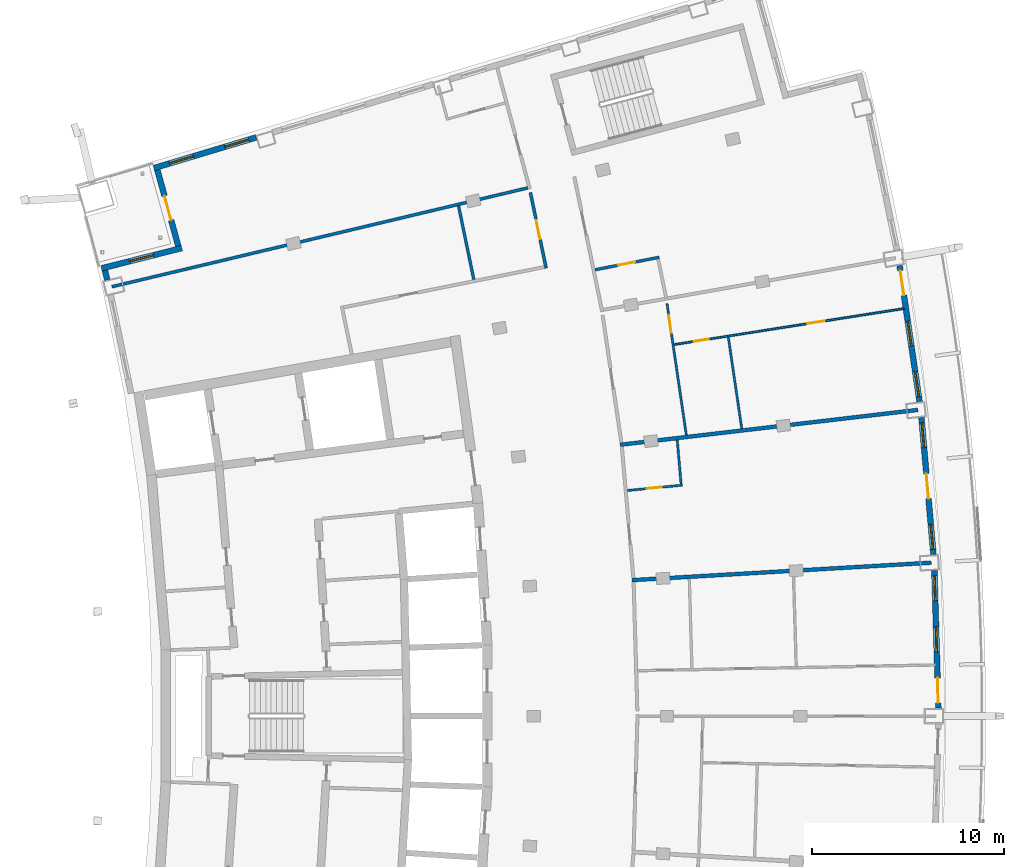
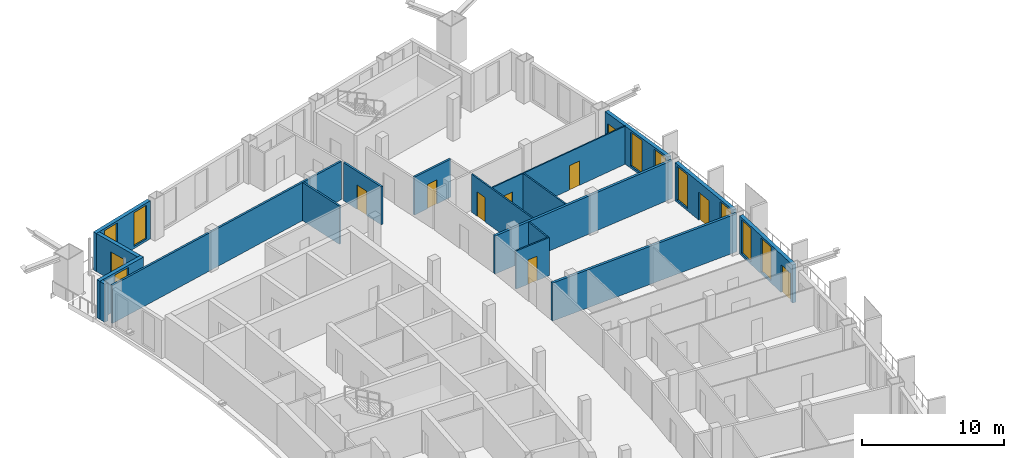
# One storey, part 12 of 20: 18 walls, 10 doors, 9 windows, 19 openings.
"""IFC4 building model written with IfcOpenShell, lengths in metres."""

from ifc_helpers import new_model, si_unit, direction, frame, frame_2d, origin, place, context, subcontext, project, spatial, rectangle, extrude, material, layer, layer_set, type_object, element, fill, save


model = new_model("IFC4")

# Units and contexts
model_context = context("Model", 3, precision=1e-05, world=origin(), true_north=direction((0.0, 1.0)))
body_context = subcontext(model_context, "Body", "Model", "MODEL_VIEW")
ifc_project = project(units=[si_unit("LENGTHUNIT", "METRE"), si_unit("AREAUNIT", "SQUARE_METRE"), si_unit("VOLUMEUNIT", "CUBIC_METRE"), si_unit("PLANEANGLEUNIT", "RADIAN"), si_unit("MASSUNIT", "GRAM", prefix="KILO")], contexts=[model_context])

# Site, building, storey
site_placement = place(None, origin())
site = spatial("IfcSite", under=ifc_project, at=site_placement, CompositionType="ELEMENT")
building_placement = place(site_placement, origin())
building = spatial("IfcBuilding", under=site, at=building_placement, Name="Alderwake Tower", CompositionType="ELEMENT")
storey_placement = place(building_placement, frame((0.0, 0.0, 263.60009765625)))
storey = spatial("IfcBuildingStorey", under=building, at=storey_placement, Name="L65", CompositionType="ELEMENT", Elevation=263.60009765625)

# Wall
ifc_material_1 = material(Name="Gypsum board on metal studs, rated")
ifc_layer_1 = layer(ifc_material_1, 0.159912109375)
ifc_layer_set_1 = layer_set([ifc_layer_1], Name="Corridor wall 160")
wall_type_1 = type_object("IfcWallType", Name="Corridor wall 160", PredefinedType="PARTITIONING", material=ifc_layer_set_1)
wall_1_placement = place(storey_placement, frame((35.502197265625, 88.451416015625, 0.0), z_axis=(0.0, 0.0, 1.0), x_axis=(-0.972894913244, -0.231247676278, 0.0)))
element("IfcWall", 1, at=wall_1_placement, inside=storey, type_object=wall_type_1, Name="WL/L65/W15", PredefinedType="PARTITIONING", context=body_context, shape_type="SweptSolid", body=[
    extrude(rectangle(XDim=22.220458984375, YDim=0.159912109375, at=frame_2d((11.1103515625, 0.0))), origin(), (0.0, 0.0, 1.0), 3.27978515625),
])

# Wall, opening, door
wall_2_placement = place(storey_placement, frame((36.451416015625, 84.272705078125, 0.0), z_axis=(0.0, 0.0, 1.0), x_axis=(-0.203258199701, 0.979125172924, 0.0)))
wall_2 = element("IfcWall", 2, at=wall_2_placement, inside=storey, type_object=wall_type_1, Name="WL/L65/W16", PredefinedType="PARTITIONING", context=body_context, shape_type="SweptSolid", body=[
    extrude(rectangle(XDim=4.020263671875, YDim=0.159912109375, at=frame_2d((2.01025390625, 0.0))), origin(), (0.0, 0.0, 1.0), 3.27978515625),
])
opening_1_placement = place(wall_2_placement, frame((1.549560546875, 0.0, 0.0)))
opening_1 = element("IfcOpeningElement", 3, at=opening_1_placement, cuts=wall_2, Name="Opening R18-SBN2", PredefinedType="OPENING", context=body_context, shape_type="SweptSolid", body=[
    extrude(rectangle(XDim=1.0, YDim=2.10009765625, at=frame_2d((0.5, 1.050048828125))), frame((0.0, 0.08984375, 0.0), z_axis=(0.0, -1.0, 0.0), x_axis=(1.0, 0.0, 0.0)), (0.0, 0.0, 1.0), 0.179931640625),
])
ifc_material_2 = material(Name="Steel-framed fire door leaf", Category="steel")
door_type_1 = type_object("IfcDoorType", Name="Plant room door 1000 fire-rated", OperationType="SINGLE_SWING_LEFT", PredefinedType="DOOR", material=ifc_material_2)
door_1_placement = place(opening_1_placement, origin())
door_1 = element("IfcDoor", 4, at=door_1_placement, inside=storey, type_object=door_type_1, Name="DR/L65/SBN2", OperationType="SINGLE_SWING_LEFT", OverallHeight=2.10009765625, OverallWidth=1.0, PredefinedType="DOOR", context=body_context, shape_type="SweptSolid", body=[
    extrude(rectangle(XDim=1.0, YDim=2.10009765625, at=frame_2d((0.5, 1.050048828125))), frame((0.0, 0.02490234375, 0.0), z_axis=(0.0, -1.0, 0.0), x_axis=(1.0, 0.0, 0.0)), (0.0, 0.0, 1.0), 0.050048828125),
])
fill(opening_1, door_1)

# Wall, openings, door, windows
ifc_material_3 = material(Name="Precast concrete C50/60 spandrel panel", Category="concrete")
ifc_layer_2 = layer(ifc_material_3, 0.300048828125)
ifc_layer_set_2 = layer_set([ifc_layer_2], Name="External wall EW1 Precast concrete C50/60 spandrel")
wall_type_2 = type_object("IfcWallType", Name="External wall EW1 Precast concrete C50/60 spandrel", PredefinedType="SOLIDWALL", material=ifc_layer_set_2)
wall_3_placement = place(storey_placement, frame((56.837646484375, 61.42138671875, 0.0), z_axis=(0.0, 0.0, 1.0), x_axis=(-0.029172920449, 0.99957437978, 0.0)))
wall_3 = element("IfcWall", 5, at=wall_3_placement, inside=storey, type_object=wall_type_2, Name="External wall 16", PredefinedType="SOLIDWALL", context=body_context, shape_type="SweptSolid", body=[
    extrude(rectangle(XDim=7.138427734375, YDim=0.300048828125, at=frame_2d((3.5693359375, 0.0))), origin(), (0.0, 0.0, 1.0), 3.27978515625),
])
opening_2_placement = place(wall_3_placement, frame((0.263427734375, 0.0, 0.0)))
opening_2 = element("IfcOpeningElement", 6, at=opening_2_placement, cuts=wall_3, Name="Opening D06", PredefinedType="OPENING", context=body_context, shape_type="SweptSolid", body=[
    extrude(rectangle(XDim=1.300048828125, YDim=2.39990234375, at=frame_2d((0.64990234375, 1.199951171875))), frame((0.0, 0.159912109375, 0.0), z_axis=(0.0, -1.0, 0.0), x_axis=(1.0, 0.0, 0.0)), (0.0, 0.0, 1.0), 0.320068359375),
])
opening_3_placement = place(wall_3_placement, frame((2.919189453125, 0.0, 0.199951171875)))
opening_3 = element("IfcOpeningElement", 7, at=opening_3_placement, cuts=wall_3, Name="Opening W1", PredefinedType="OPENING", context=body_context, shape_type="SweptSolid", body=[
    extrude(rectangle(XDim=1.300048828125, YDim=2.89990234375, at=frame_2d((0.64990234375, 1.449951171875))), frame((0.0, 0.159912109375, 0.0), z_axis=(0.0, -1.0, 0.0), x_axis=(1.0, 0.0, 0.0)), (0.0, 0.0, 1.0), 0.320068359375),
])
opening_4_placement = place(wall_3_placement, frame((5.574951171875, 0.0, 0.199951171875)))
opening_4 = element("IfcOpeningElement", 8, at=opening_4_placement, cuts=wall_3, Name="Opening W1", PredefinedType="OPENING", context=body_context, shape_type="SweptSolid", body=[
    extrude(rectangle(XDim=1.300048828125, YDim=2.89990234375, at=frame_2d((0.64990234375, 1.449951171875))), frame((0.0, 0.159912109375, 0.0), z_axis=(0.0, -1.0, 0.0), x_axis=(1.0, 0.0, 0.0)), (0.0, 0.0, 1.0), 0.320068359375),
])
ifc_material_4 = material(Name="Bronze tinted glass in aluminium frame", Category="aluminium")
door_type_2 = type_object("IfcDoorType", Name="Balcony door BD sliding", OperationType="SLIDING_TO_LEFT", PredefinedType="DOOR", material=ifc_material_4)
door_2_placement = place(opening_2_placement, origin())
door_2 = element("IfcDoor", 9, at=door_2_placement, inside=storey, type_object=door_type_2, Name="Door D06", OperationType="SLIDING_TO_LEFT", OverallHeight=2.39990234375, OverallWidth=1.300048828125, PredefinedType="DOOR", context=body_context, shape_type="SweptSolid", body=[
    extrude(rectangle(XDim=1.300048828125, YDim=2.39990234375, at=frame_2d((0.64990234375, 1.199951171875))), frame((0.0, 0.02490234375, 0.0), z_axis=(0.0, -1.0, 0.0), x_axis=(1.0, 0.0, 0.0)), (0.0, 0.0, 1.0), 0.050048828125),
])
fill(opening_2, door_2)
ifc_material_5 = material(Name="Bronze tinted glass in aluminium frame", Category="aluminium")
window_type = type_object("IfcWindowType", Name="Window W1 tall fixed and vent", PartitioningType="DOUBLE_PANEL_VERTICAL", PredefinedType="WINDOW", material=ifc_material_5)
window_1_placement = place(opening_3_placement, origin())
window_1 = element("IfcWindow", 10, at=window_1_placement, inside=storey, type_object=window_type, Name="Window W1 tall fixed and vent", OverallHeight=2.89990234375, OverallWidth=1.300048828125, PartitioningType="DOUBLE_PANEL_VERTICAL", PredefinedType="WINDOW", context=body_context, shape_type="SweptSolid", body=[
    extrude(rectangle(XDim=1.300048828125, YDim=2.89990234375, at=frame_2d((0.64990234375, 1.449951171875))), frame((0.0, 0.030029296875, 0.0), z_axis=(0.0, -1.0, 0.0), x_axis=(1.0, 0.0, 0.0)), (0.0, 0.0, 1.0), 0.06005859375),
])
fill(opening_3, window_1)
window_2_placement = place(opening_4_placement, origin())
window_2 = element("IfcWindow", 11, at=window_2_placement, inside=storey, type_object=window_type, Name="Window W1 tall fixed and vent", OverallHeight=2.89990234375, OverallWidth=1.300048828125, PartitioningType="DOUBLE_PANEL_VERTICAL", PredefinedType="WINDOW", context=body_context, shape_type="SweptSolid", body=[
    extrude(rectangle(XDim=1.300048828125, YDim=2.89990234375, at=frame_2d((0.64990234375, 1.449951171875))), frame((0.0, 0.030029296875, 0.0), z_axis=(0.0, -1.0, 0.0), x_axis=(1.0, 0.0, 0.0)), (0.0, 0.0, 1.0), 0.06005859375),
])
fill(opening_4, window_2)

wall_4_placement = place(storey_placement, frame((56.580322265625, 69.3984375, 0.0), z_axis=(0.0, 0.0, 1.0), x_axis=(-0.087383747715, 0.996174723949, 0.0)))
wall_4 = element("IfcWall", 12, at=wall_4_placement, inside=storey, type_object=wall_type_2, Name="External wall 17", PredefinedType="SOLIDWALL", context=body_context, shape_type="SweptSolid", body=[
    extrude(rectangle(XDim=7.138427734375, YDim=0.300048828125, at=frame_2d((3.5693359375, 0.0))), origin(), (0.0, 0.0, 1.0), 3.27978515625),
])
opening_5_placement = place(wall_4_placement, frame((0.263427734375, 0.0, 0.199951171875)))
opening_5 = element("IfcOpeningElement", 13, at=opening_5_placement, cuts=wall_4, Name="Opening W1", PredefinedType="OPENING", context=body_context, shape_type="SweptSolid", body=[
    extrude(rectangle(XDim=1.300048828125, YDim=2.89990234375, at=frame_2d((0.64990234375, 1.449951171875))), frame((0.0, 0.159912109375, 0.0), z_axis=(0.0, -1.0, 0.0), x_axis=(1.0, 0.0, 0.0)), (0.0, 0.0, 1.0), 0.320068359375),
])
opening_6_placement = place(wall_4_placement, frame((2.919189453125, 0.0, 0.0)))
opening_6 = element("IfcOpeningElement", 14, at=opening_6_placement, cuts=wall_4, Name="Opening D07", PredefinedType="OPENING", context=body_context, shape_type="SweptSolid", body=[
    extrude(rectangle(XDim=1.300048828125, YDim=2.39990234375, at=frame_2d((0.64990234375, 1.199951171875))), frame((0.0, 0.159912109375, 0.0), z_axis=(0.0, -1.0, 0.0), x_axis=(1.0, 0.0, 0.0)), (0.0, 0.0, 1.0), 0.320068359375),
])
opening_7_placement = place(wall_4_placement, frame((5.574951171875, 0.0, 0.199951171875)))
opening_7 = element("IfcOpeningElement", 15, at=opening_7_placement, cuts=wall_4, Name="Opening W1", PredefinedType="OPENING", context=body_context, shape_type="SweptSolid", body=[
    extrude(rectangle(XDim=1.300048828125, YDim=2.89990234375, at=frame_2d((0.64990234375, 1.449951171875))), frame((0.0, 0.159912109375, 0.0), z_axis=(0.0, -1.0, 0.0), x_axis=(1.0, 0.0, 0.0)), (0.0, 0.0, 1.0), 0.320068359375),
])
door_3_placement = place(opening_6_placement, origin())
door_3 = element("IfcDoor", 16, at=door_3_placement, inside=storey, type_object=door_type_2, Name="Door D07", OperationType="SLIDING_TO_LEFT", OverallHeight=2.39990234375, OverallWidth=1.300048828125, PredefinedType="DOOR", context=body_context, shape_type="SweptSolid", body=[
    extrude(rectangle(XDim=1.300048828125, YDim=2.39990234375, at=frame_2d((0.64990234375, 1.199951171875))), frame((0.0, 0.02490234375, 0.0), z_axis=(0.0, -1.0, 0.0), x_axis=(1.0, 0.0, 0.0)), (0.0, 0.0, 1.0), 0.050048828125),
])
fill(opening_6, door_3)
window_3_placement = place(opening_5_placement, origin())
window_3 = element("IfcWindow", 17, at=window_3_placement, inside=storey, type_object=window_type, Name="Window W1 tall fixed and vent", OverallHeight=2.89990234375, OverallWidth=1.300048828125, PartitioningType="DOUBLE_PANEL_VERTICAL", PredefinedType="WINDOW", context=body_context, shape_type="SweptSolid", body=[
    extrude(rectangle(XDim=1.300048828125, YDim=2.89990234375, at=frame_2d((0.64990234375, 1.449951171875))), frame((0.0, 0.030029296875, 0.0), z_axis=(0.0, -1.0, 0.0), x_axis=(1.0, 0.0, 0.0)), (0.0, 0.0, 1.0), 0.06005859375),
])
fill(opening_5, window_3)
window_4_placement = place(opening_7_placement, origin())
window_4 = element("IfcWindow", 18, at=window_4_placement, inside=storey, type_object=window_type, Name="Window W1 tall fixed and vent", OverallHeight=2.89990234375, OverallWidth=1.300048828125, PartitioningType="DOUBLE_PANEL_VERTICAL", PredefinedType="WINDOW", context=body_context, shape_type="SweptSolid", body=[
    extrude(rectangle(XDim=1.300048828125, YDim=2.89990234375, at=frame_2d((0.64990234375, 1.449951171875))), frame((0.0, 0.030029296875, 0.0), z_axis=(0.0, -1.0, 0.0), x_axis=(1.0, 0.0, 0.0)), (0.0, 0.0, 1.0), 0.06005859375),
])
fill(opening_7, window_4)

wall_5_placement = place(storey_placement, frame((55.8583984375, 77.3466796875, 0.0), z_axis=(0.0, 0.0, 1.0), x_axis=(-0.145317744338, 0.98938503788, 0.0)))
wall_5 = element("IfcWall", 19, at=wall_5_placement, inside=storey, type_object=wall_type_2, Name="External wall 18", PredefinedType="SOLIDWALL", context=body_context, shape_type="SweptSolid", body=[
    extrude(rectangle(XDim=7.138427734375, YDim=0.300048828125, at=frame_2d((3.5693359375, 0.0))), origin(), (0.0, 0.0, 1.0), 3.27978515625),
])
opening_8_placement = place(wall_5_placement, frame((0.263427734375, 0.0, 0.199951171875)))
opening_8 = element("IfcOpeningElement", 20, at=opening_8_placement, cuts=wall_5, Name="Opening W1", PredefinedType="OPENING", context=body_context, shape_type="SweptSolid", body=[
    extrude(rectangle(XDim=1.300048828125, YDim=2.89990234375, at=frame_2d((0.64990234375, 1.449951171875))), frame((0.0, 0.159912109375, 0.0), z_axis=(0.0, -1.0, 0.0), x_axis=(1.0, 0.0, 0.0)), (0.0, 0.0, 1.0), 0.320068359375),
])
opening_9_placement = place(wall_5_placement, frame((2.919189453125, 0.0, 0.199951171875)))
opening_9 = element("IfcOpeningElement", 21, at=opening_9_placement, cuts=wall_5, Name="Opening W1", PredefinedType="OPENING", context=body_context, shape_type="SweptSolid", body=[
    extrude(rectangle(XDim=1.300048828125, YDim=2.89990234375, at=frame_2d((0.64990234375, 1.449951171875))), frame((0.0, 0.159912109375, 0.0), z_axis=(0.0, -1.0, 0.0), x_axis=(1.0, 0.0, 0.0)), (0.0, 0.0, 1.0), 0.320068359375),
])
opening_10_placement = place(wall_5_placement, frame((5.574951171875, 0.0, 0.0)))
opening_10 = element("IfcOpeningElement", 22, at=opening_10_placement, cuts=wall_5, Name="Opening D08", PredefinedType="OPENING", context=body_context, shape_type="SweptSolid", body=[
    extrude(rectangle(XDim=1.300048828125, YDim=2.39990234375, at=frame_2d((0.64990234375, 1.199951171875))), frame((0.0, 0.159912109375, 0.0), z_axis=(0.0, -1.0, 0.0), x_axis=(1.0, 0.0, 0.0)), (0.0, 0.0, 1.0), 0.320068359375),
])
door_4_placement = place(opening_10_placement, origin())
door_4 = element("IfcDoor", 23, at=door_4_placement, inside=storey, type_object=door_type_2, Name="Door D08", OperationType="SLIDING_TO_LEFT", OverallHeight=2.39990234375, OverallWidth=1.300048828125, PredefinedType="DOOR", context=body_context, shape_type="SweptSolid", body=[
    extrude(rectangle(XDim=1.300048828125, YDim=2.39990234375, at=frame_2d((0.64990234375, 1.199951171875))), frame((0.0, 0.02490234375, 0.0), z_axis=(0.0, -1.0, 0.0), x_axis=(1.0, 0.0, 0.0)), (0.0, 0.0, 1.0), 0.050048828125),
])
fill(opening_10, door_4)
window_5_placement = place(opening_8_placement, origin())
window_5 = element("IfcWindow", 24, at=window_5_placement, inside=storey, type_object=window_type, Name="Window W1 tall fixed and vent", OverallHeight=2.89990234375, OverallWidth=1.300048828125, PartitioningType="DOUBLE_PANEL_VERTICAL", PredefinedType="WINDOW", context=body_context, shape_type="SweptSolid", body=[
    extrude(rectangle(XDim=1.300048828125, YDim=2.89990234375, at=frame_2d((0.64990234375, 1.449951171875))), frame((0.0, 0.030029296875, 0.0), z_axis=(0.0, -1.0, 0.0), x_axis=(1.0, 0.0, 0.0)), (0.0, 0.0, 1.0), 0.06005859375),
])
fill(opening_8, window_5)
window_6_placement = place(opening_9_placement, origin())
window_6 = element("IfcWindow", 25, at=window_6_placement, inside=storey, type_object=window_type, Name="Window W1 tall fixed and vent", OverallHeight=2.89990234375, OverallWidth=1.300048828125, PartitioningType="DOUBLE_PANEL_VERTICAL", PredefinedType="WINDOW", context=body_context, shape_type="SweptSolid", body=[
    extrude(rectangle(XDim=1.300048828125, YDim=2.89990234375, at=frame_2d((0.64990234375, 1.449951171875))), frame((0.0, 0.030029296875, 0.0), z_axis=(0.0, -1.0, 0.0), x_axis=(1.0, 0.0, 0.0)), (0.0, 0.0, 1.0), 0.06005859375),
])
fill(opening_9, window_6)

# Wall
wall_6_placement = place(storey_placement, frame((13.523193359375, 84.1572265625, 0.0), z_axis=(0.0, 0.0, 1.0), x_axis=(0.238653145818, -0.971104873838, 0.0)))
element("IfcWall", 26, at=wall_6_placement, inside=storey, type_object=wall_type_2, Name="External wall 30", PredefinedType="SOLIDWALL", context=body_context, shape_type="SweptSolid", body=[
    extrude(rectangle(XDim=0.50341796875, YDim=0.300048828125, at=frame_2d((0.251708984375, 0.0))), origin(), (0.0, 0.0, 1.0), 3.27978515625),
])

# Wall, openings, windows
ifc_material_6 = material(Name="Bronze metal cladding on lightweight framing")
ifc_layer_3 = layer(ifc_material_6, 0.300048828125)
ifc_layer_set_3 = layer_set([ifc_layer_3], Name="External wall EW2 bronze metal cladding")
wall_type_3 = type_object("IfcWallType", Name="External wall EW2 bronze metal cladding", PredefinedType="SOLIDWALL", material=ifc_layer_set_3)
wall_7_placement = place(storey_placement, frame((21.380859375, 91.072021484375, 0.0), z_axis=(0.0, 0.0, 1.0), x_axis=(-0.957769358194, -0.287537574074, 0.0)))
wall_7 = element("IfcWall", 27, at=wall_7_placement, inside=storey, type_object=wall_type_3, Name="External wall 27", PredefinedType="SOLIDWALL", context=body_context, shape_type="SweptSolid", body=[
    extrude(rectangle(XDim=5.549560546875, YDim=0.300048828125, at=frame_2d((2.77490234375, 0.0))), origin(), (0.0, 0.0, 1.0), 3.27978515625),
])
opening_11_placement = place(wall_7_placement, frame((0.3984375, 0.0, 0.199951171875)))
opening_11 = element("IfcOpeningElement", 28, at=opening_11_placement, cuts=wall_7, Name="Opening W1", PredefinedType="OPENING", context=body_context, shape_type="SweptSolid", body=[
    extrude(rectangle(XDim=1.300048828125, YDim=2.89990234375, at=frame_2d((0.64990234375, 1.449951171875))), frame((0.0, 0.159912109375, 0.0), z_axis=(0.0, -1.0, 0.0), x_axis=(1.0, 0.0, 0.0)), (0.0, 0.0, 1.0), 0.320068359375),
])
opening_12_placement = place(wall_7_placement, frame((3.399169921875, 0.0, 0.199951171875)))
opening_12 = element("IfcOpeningElement", 29, at=opening_12_placement, cuts=wall_7, Name="Opening W1", PredefinedType="OPENING", context=body_context, shape_type="SweptSolid", body=[
    extrude(rectangle(XDim=1.300048828125, YDim=2.89990234375, at=frame_2d((0.64990234375, 1.449951171875))), frame((0.0, 0.159912109375, 0.0), z_axis=(0.0, -1.0, 0.0), x_axis=(1.0, 0.0, 0.0)), (0.0, 0.0, 1.0), 0.320068359375),
])
window_7_placement = place(opening_11_placement, origin())
window_7 = element("IfcWindow", 30, at=window_7_placement, inside=storey, type_object=window_type, Name="Window W1 tall fixed and vent", OverallHeight=2.89990234375, OverallWidth=1.300048828125, PartitioningType="DOUBLE_PANEL_VERTICAL", PredefinedType="WINDOW", context=body_context, shape_type="SweptSolid", body=[
    extrude(rectangle(XDim=1.300048828125, YDim=2.89990234375, at=frame_2d((0.64990234375, 1.449951171875))), frame((0.0, 0.030029296875, 0.0), z_axis=(0.0, -1.0, 0.0), x_axis=(1.0, 0.0, 0.0)), (0.0, 0.0, 1.0), 0.06005859375),
])
fill(opening_11, window_7)
window_8_placement = place(opening_12_placement, origin())
window_8 = element("IfcWindow", 31, at=window_8_placement, inside=storey, type_object=window_type, Name="Window W1 tall fixed and vent", OverallHeight=2.89990234375, OverallWidth=1.300048828125, PartitioningType="DOUBLE_PANEL_VERTICAL", PredefinedType="WINDOW", context=body_context, shape_type="SweptSolid", body=[
    extrude(rectangle(XDim=1.300048828125, YDim=2.89990234375, at=frame_2d((0.64990234375, 1.449951171875))), frame((0.0, 0.030029296875, 0.0), z_axis=(0.0, -1.0, 0.0), x_axis=(1.0, 0.0, 0.0)), (0.0, 0.0, 1.0), 0.06005859375),
])
fill(opening_12, window_8)

# Wall, opening, door
wall_8_placement = place(storey_placement, frame((16.248779296875, 89.374755859375, 0.0), z_axis=(0.0, 0.0, 1.0), x_axis=(0.264607053468, -0.964356317579, 0.0)))
wall_8 = element("IfcWall", 32, at=wall_8_placement, inside=storey, type_object=wall_type_3, Name="External wall 28", PredefinedType="SOLIDWALL", context=body_context, shape_type="SweptSolid", body=[
    extrude(rectangle(XDim=4.090087890625, YDim=0.300048828125, at=frame_2d((2.044921875, 0.0))), origin(), (0.0, 0.0, 1.0), 3.27978515625),
])
opening_13_placement = place(wall_8_placement, frame((1.39501953125, 0.0, 0.0)))
opening_13 = element("IfcOpeningElement", 33, at=opening_13_placement, cuts=wall_8, Name="Opening D09", PredefinedType="OPENING", context=body_context, shape_type="SweptSolid", body=[
    extrude(rectangle(XDim=1.300048828125, YDim=2.39990234375, at=frame_2d((0.64990234375, 1.199951171875))), frame((0.0, 0.159912109375, 0.0), z_axis=(0.0, -1.0, 0.0), x_axis=(1.0, 0.0, 0.0)), (0.0, 0.0, 1.0), 0.320068359375),
])
door_5_placement = place(opening_13_placement, origin())
door_5 = element("IfcDoor", 34, at=door_5_placement, inside=storey, type_object=door_type_2, Name="Door D09", OperationType="SLIDING_TO_LEFT", OverallHeight=2.39990234375, OverallWidth=1.300048828125, PredefinedType="DOOR", context=body_context, shape_type="SweptSolid", body=[
    extrude(rectangle(XDim=1.300048828125, YDim=2.39990234375, at=frame_2d((0.64990234375, 1.199951171875))), frame((0.0, 0.02490234375, 0.0), z_axis=(0.0, -1.0, 0.0), x_axis=(1.0, 0.0, 0.0)), (0.0, 0.0, 1.0), 0.050048828125),
])
fill(opening_13, door_5)

# Wall, opening, window
wall_9_placement = place(storey_placement, frame((17.51611328125, 85.32275390625, 0.0), z_axis=(0.0, 0.0, 1.0), x_axis=(-0.969417740682, -0.245416470617, 0.0)))
wall_9 = element("IfcWall", 35, at=wall_9_placement, inside=storey, type_object=wall_type_3, Name="External wall 29", PredefinedType="SOLIDWALL", context=body_context, shape_type="SweptSolid", body=[
    extrude(rectangle(XDim=4.305419921875, YDim=0.300048828125, at=frame_2d((2.15283203125, 0.0))), origin(), (0.0, 0.0, 1.0), 3.27978515625),
])
opening_14_placement = place(wall_9_placement, frame((1.502685546875, 0.0, 0.199951171875)))
opening_14 = element("IfcOpeningElement", 36, at=opening_14_placement, cuts=wall_9, Name="Opening W1", PredefinedType="OPENING", context=body_context, shape_type="SweptSolid", body=[
    extrude(rectangle(XDim=1.300048828125, YDim=2.89990234375, at=frame_2d((0.64990234375, 1.449951171875))), frame((0.0, 0.159912109375, 0.0), z_axis=(0.0, -1.0, 0.0), x_axis=(1.0, 0.0, 0.0)), (0.0, 0.0, 1.0), 0.320068359375),
])
window_9_placement = place(opening_14_placement, origin())
window_9 = element("IfcWindow", 37, at=window_9_placement, inside=storey, type_object=window_type, Name="Window W1 tall fixed and vent", OverallHeight=2.89990234375, OverallWidth=1.300048828125, PartitioningType="DOUBLE_PANEL_VERTICAL", PredefinedType="WINDOW", context=body_context, shape_type="SweptSolid", body=[
    extrude(rectangle(XDim=1.300048828125, YDim=2.89990234375, at=frame_2d((0.64990234375, 1.449951171875))), frame((0.0, 0.030029296875, 0.0), z_axis=(0.0, -1.0, 0.0), x_axis=(1.0, 0.0, 0.0)), (0.0, 0.0, 1.0), 0.06005859375),
])
fill(opening_14, window_9)

# Walls
ifc_material_7 = material(Name="Dense block masonry wall", Category="masonry")
ifc_layer_4 = layer(ifc_material_7, 0.199951171875)
ifc_layer_set_4 = layer_set([ifc_layer_4], Name="Party wall 200")
wall_type_4 = type_object("IfcWallType", Name="Party wall 200", PredefinedType="SOLIDWALL", material=ifc_layer_set_4)
wall_10_placement = place(storey_placement, frame((40.297607421875, 75.0986328125, 0.0), z_axis=(0.0, 0.0, 1.0), x_axis=(0.993210273731, 0.116332936677, 0.0)))
element("IfcWall", 38, at=wall_10_placement, inside=storey, type_object=wall_type_4, Name="WL/L65/W02", PredefinedType="SOLIDWALL", context=body_context, shape_type="SweptSolid", body=[
    extrude(rectangle(XDim=15.578125, YDim=0.199951171875, at=frame_2d((7.7890625, 0.0))), origin(), (0.0, 0.0, 1.0), 3.27978515625),
])
wall_11_placement = place(storey_placement, frame((56.466064453125, 68.969970703125, 0.0), z_axis=(0.0, 0.0, 1.0), x_axis=(-0.998300806671, -0.058270913845, 0.0)))
element("IfcWall", 39, at=wall_11_placement, inside=storey, type_object=wall_type_4, Name="WL/L65/W04", PredefinedType="SOLIDWALL", context=body_context, shape_type="SweptSolid", body=[
    extrude(rectangle(XDim=15.577392578125, YDim=0.199951171875, at=frame_2d((7.78857421875, 0.0))), origin(), (0.0, 0.0, 1.0), 3.27978515625),
])
ifc_material_8 = material(Name="Gypsum shaft wall system, rated")
ifc_layer_5 = layer(ifc_material_8, 0.14990234375)
ifc_layer_set_5 = layer_set([ifc_layer_5], Name="Riser and shaft wall 150")
wall_type_5 = type_object("IfcWallType", Name="Riser and shaft wall 150", PredefinedType="PARTITIONING", material=ifc_layer_set_5)
wall_12_placement = place(storey_placement, frame((32.69287109375, 83.682373046875, 0.0), z_axis=(0.0, 0.0, 1.0), x_axis=(-0.20266545775, 0.979248034073, 0.0)))
element("IfcWall", 40, at=wall_12_placement, inside=storey, type_object=wall_type_5, Name="WL/L65/W06", PredefinedType="PARTITIONING", context=body_context, shape_type="SweptSolid", body=[
    extrude(rectangle(XDim=3.911376953125, YDim=0.14990234375, at=frame_2d((1.95556640625, 0.0))), origin(), (0.0, 0.0, 1.0), 3.27978515625),
])

# Wall, opening, door
wall_13_placement = place(storey_placement, frame((42.32861328125, 84.84228515625, 0.0), z_axis=(0.0, 0.0, 1.0), x_axis=(-0.981655808185, -0.190661674853, 0.0)))
wall_13 = element("IfcWall", 41, at=wall_13_placement, inside=storey, type_object=wall_type_5, Name="WL/L65/W07", PredefinedType="PARTITIONING", context=body_context, shape_type="SweptSolid", body=[
    extrude(rectangle(XDim=3.393310546875, YDim=0.14990234375, at=frame_2d((1.69677734375, 0.0))), origin(), (0.0, 0.0, 1.0), 3.27978515625),
])
opening_15_placement = place(wall_13_placement, frame((1.2841796875, 0.0, 0.0)))
opening_15 = element("IfcOpeningElement", 42, at=opening_15_placement, cuts=wall_13, Name="Opening R18-AM1.2", PredefinedType="OPENING", context=body_context, shape_type="SweptSolid", body=[
    extrude(rectangle(XDim=0.89990234375, YDim=2.10009765625, at=frame_2d((0.449951171875, 1.050048828125))), frame((0.0, 0.0849609375, 0.0), z_axis=(0.0, -1.0, 0.0), x_axis=(1.0, 0.0, 0.0)), (0.0, 0.0, 1.0), 0.169921875),
])
ifc_material_9 = material(Name="Painted timber leaf", Category="wood")
door_type_3 = type_object("IfcDoorType", Name="Room door 900", OperationType="SINGLE_SWING_LEFT", PredefinedType="DOOR", material=ifc_material_9)
door_6_placement = place(opening_15_placement, origin())
door_6 = element("IfcDoor", 43, at=door_6_placement, inside=storey, type_object=door_type_3, Name="DR/L65/AM1.2", OperationType="SINGLE_SWING_LEFT", OverallHeight=2.10009765625, OverallWidth=0.89990234375, PredefinedType="DOOR", context=body_context, shape_type="SweptSolid", body=[
    extrude(rectangle(XDim=0.89990234375, YDim=2.10009765625, at=frame_2d((0.449951171875, 1.050048828125))), frame((0.0, 0.02490234375, 0.0), z_axis=(0.0, -1.0, 0.0), x_axis=(1.0, 0.0, 0.0)), (0.0, 0.0, 1.0), 0.050048828125),
])
fill(opening_15, door_6)

# Wall, openings, doors
ifc_material_10 = material(Name="Gypsum board on metal studs")
ifc_layer_6 = layer(ifc_material_10, 0.10009765625)
ifc_layer_set_6 = layer_set([ifc_layer_6], Name="Unit partition 100")
wall_type_6 = type_object("IfcWallType", Name="Unit partition 100", PredefinedType="PARTITIONING", material=ifc_layer_set_6)
wall_14_placement = place(storey_placement, frame((55.047119140625, 82.178955078125, 0.0), z_axis=(0.0, 0.0, 1.0), x_axis=(-0.987932259754, -0.15488657184, 0.0)))
wall_14 = element("IfcWall", 44, at=wall_14_placement, inside=storey, type_object=wall_type_6, Name="WL/L65/W49", PredefinedType="PARTITIONING", context=body_context, shape_type="SweptSolid", body=[
    extrude(rectangle(XDim=12.08349609375, YDim=0.10009765625, at=frame_2d((6.041748046875, 0.0))), origin(), (0.0, 0.0, 1.0), 3.27978515625),
])
opening_16_placement = place(wall_14_placement, frame((10.2646484375, 0.0, 0.0)))
opening_16 = element("IfcOpeningElement", 45, at=opening_16_placement, cuts=wall_14, Name="Opening R18-U07.3", PredefinedType="OPENING", context=body_context, shape_type="SweptSolid", body=[
    extrude(rectangle(XDim=0.800048828125, YDim=2.10009765625, at=frame_2d((0.39990234375, 1.050048828125))), frame((0.0, 0.06005859375, 0.0), z_axis=(0.0, -1.0, 0.0), x_axis=(1.0, 0.0, 0.0)), (0.0, 0.0, 1.0), 0.1201171875),
])
opening_17_placement = place(wall_14_placement, frame((4.17333984375, 0.0, 0.0)))
opening_17 = element("IfcOpeningElement", 46, at=opening_17_placement, cuts=wall_14, Name="Opening R18-U07.4", PredefinedType="OPENING", context=body_context, shape_type="SweptSolid", body=[
    extrude(rectangle(XDim=0.89990234375, YDim=2.10009765625, at=frame_2d((0.449951171875, 1.050048828125))), frame((0.0, 0.06005859375, 0.0), z_axis=(0.0, -1.0, 0.0), x_axis=(1.0, 0.0, 0.0)), (0.0, 0.0, 1.0), 0.1201171875),
])
ifc_material_11 = material(Name="Painted timber leaf", Category="wood")
door_type_4 = type_object("IfcDoorType", Name="Bathroom door 800", OperationType="SINGLE_SWING_LEFT", PredefinedType="DOOR", material=ifc_material_11)
door_7_placement = place(opening_16_placement, origin())
door_7 = element("IfcDoor", 47, at=door_7_placement, inside=storey, type_object=door_type_4, Name="DR/L65/U07.3", OperationType="SINGLE_SWING_LEFT", OverallHeight=2.10009765625, OverallWidth=0.800048828125, PredefinedType="DOOR", context=body_context, shape_type="SweptSolid", body=[
    extrude(rectangle(XDim=0.800048828125, YDim=2.10009765625, at=frame_2d((0.39990234375, 1.050048828125))), frame((0.0, 0.02490234375, 0.0), z_axis=(0.0, -1.0, 0.0), x_axis=(1.0, 0.0, 0.0)), (0.0, 0.0, 1.0), 0.050048828125),
])
fill(opening_16, door_7)
door_8_placement = place(opening_17_placement, origin())
door_8 = element("IfcDoor", 48, at=door_8_placement, inside=storey, type_object=door_type_3, Name="DR/L65/U07.4", OperationType="SINGLE_SWING_LEFT", OverallHeight=2.10009765625, OverallWidth=0.89990234375, PredefinedType="DOOR", context=body_context, shape_type="SweptSolid", body=[
    extrude(rectangle(XDim=0.89990234375, YDim=2.10009765625, at=frame_2d((0.449951171875, 1.050048828125))), frame((0.0, 0.02490234375, 0.0), z_axis=(0.0, -1.0, 0.0), x_axis=(1.0, 0.0, 0.0)), (0.0, 0.0, 1.0), 0.050048828125),
])
fill(opening_17, door_8)

# Wall, opening, door
ifc_material_12 = material(Name="Moisture resistant gypsum board on metal studs")
ifc_layer_7 = layer(ifc_material_12, 0.1201171875)
ifc_layer_set_7 = layer_set([ifc_layer_7], Name="Wet room partition 120")
wall_type_7 = type_object("IfcWallType", Name="Wet room partition 120", PredefinedType="PARTITIONING", material=ifc_layer_set_7)
wall_15_placement = place(storey_placement, frame((40.66650390625, 72.7216796875, 0.0), z_axis=(0.0, 0.0, 1.0), x_axis=(0.995349751069, 0.096326907185, 0.0)))
wall_15 = element("IfcWall", 49, at=wall_15_placement, inside=storey, type_object=wall_type_7, Name="WL/L65/W32", PredefinedType="PARTITIONING", context=body_context, shape_type="SweptSolid", body=[
    extrude(rectangle(XDim=2.876708984375, YDim=0.1201171875, at=frame_2d((1.4384765625, 0.0))), origin(), (0.0, 0.0, 1.0), 3.27978515625),
])
opening_18_placement = place(wall_15_placement, frame((1.009033203125, 0.0, 0.0)))
opening_18 = element("IfcOpeningElement", 50, at=opening_18_placement, cuts=wall_15, Name="Opening R18-U06.2", PredefinedType="OPENING", context=body_context, shape_type="SweptSolid", body=[
    extrude(rectangle(XDim=0.800048828125, YDim=2.10009765625, at=frame_2d((0.39990234375, 1.050048828125))), frame((0.0, 0.070068359375, 0.0), z_axis=(0.0, -1.0, 0.0), x_axis=(1.0, 0.0, 0.0)), (0.0, 0.0, 1.0), 0.14013671875),
])
door_9_placement = place(opening_18_placement, origin())
door_9 = element("IfcDoor", 51, at=door_9_placement, inside=storey, type_object=door_type_4, Name="DR/L65/U06.2", OperationType="SINGLE_SWING_LEFT", OverallHeight=2.10009765625, OverallWidth=0.800048828125, PredefinedType="DOOR", context=body_context, shape_type="SweptSolid", body=[
    extrude(rectangle(XDim=0.800048828125, YDim=2.10009765625, at=frame_2d((0.39990234375, 1.050048828125))), frame((0.0, 0.02490234375, 0.0), z_axis=(0.0, -1.0, 0.0), x_axis=(1.0, 0.0, 0.0)), (0.0, 0.0, 1.0), 0.050048828125),
])
fill(opening_18, door_9)

wall_16_placement = place(storey_placement, frame((42.732421875, 82.44775390625, 0.0), z_axis=(0.0, 0.0, 1.0), x_axis=(0.14528876176, -0.989389294316, 0.0)))
wall_16 = element("IfcWall", 52, at=wall_16_placement, inside=storey, type_object=wall_type_7, Name="WL/L65/W35", PredefinedType="PARTITIONING", context=body_context, shape_type="SweptSolid", body=[
    extrude(rectangle(XDim=6.918212890625, YDim=0.1201171875, at=frame_2d((3.458984375, 0.0))), origin(), (0.0, 0.0, 1.0), 3.27978515625),
])
opening_19_placement = place(wall_16_placement, frame((0.63671875, 0.0, 0.0)))
opening_19 = element("IfcOpeningElement", 53, at=opening_19_placement, cuts=wall_16, Name="Opening R18-U07.2", PredefinedType="OPENING", context=body_context, shape_type="SweptSolid", body=[
    extrude(rectangle(XDim=0.89990234375, YDim=2.10009765625, at=frame_2d((0.449951171875, 1.050048828125))), frame((0.0, 0.070068359375, 0.0), z_axis=(0.0, -1.0, 0.0), x_axis=(1.0, 0.0, 0.0)), (0.0, 0.0, 1.0), 0.14013671875),
])
door_10_placement = place(opening_19_placement, origin())
door_10 = element("IfcDoor", 54, at=door_10_placement, inside=storey, type_object=door_type_3, Name="DR/L65/U07.2", OperationType="SINGLE_SWING_LEFT", OverallHeight=2.10009765625, OverallWidth=0.89990234375, PredefinedType="DOOR", context=body_context, shape_type="SweptSolid", body=[
    extrude(rectangle(XDim=0.89990234375, YDim=2.10009765625, at=frame_2d((0.449951171875, 1.050048828125))), frame((0.0, 0.02490234375, 0.0), z_axis=(0.0, -1.0, 0.0), x_axis=(1.0, 0.0, 0.0)), (0.0, 0.0, 1.0), 0.050048828125),
])
fill(opening_19, door_10)

# Walls
wall_17_placement = place(storey_placement, frame((43.46484375, 73.052734375, 0.0), z_axis=(0.0, 0.0, 1.0), x_axis=(-0.086492397993, 0.996252510707, 0.0)))
element("IfcWall", 55, at=wall_17_placement, inside=storey, type_object=wall_type_7, Name="WL/L65/W36", PredefinedType="PARTITIONING", context=body_context, shape_type="SweptSolid", body=[
    extrude(rectangle(XDim=2.30322265625, YDim=0.1201171875, at=frame_2d((1.151611328125, 0.0))), origin(), (0.0, 0.0, 1.0), 3.27978515625),
])
wall_18_placement = place(storey_placement, frame((46.617431640625, 75.93896484375, 0.0), z_axis=(0.0, 0.0, 1.0), x_axis=(-0.145238137818, 0.989396726962, 0.0)))
element("IfcWall", 56, at=wall_18_placement, inside=storey, type_object=wall_type_7, Name="WL/L65/W42", PredefinedType="PARTITIONING", context=body_context, shape_type="SweptSolid", body=[
    extrude(rectangle(XDim=4.8076171875, YDim=0.1201171875, at=frame_2d((2.40380859375, 0.0))), origin(), (0.0, 0.0, 1.0), 3.27978515625),
])

save(model, "model.ifc")
